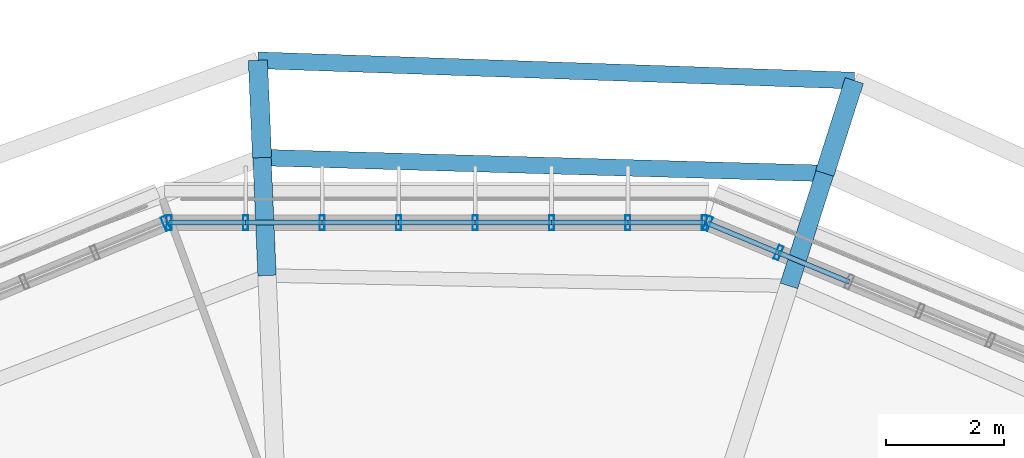
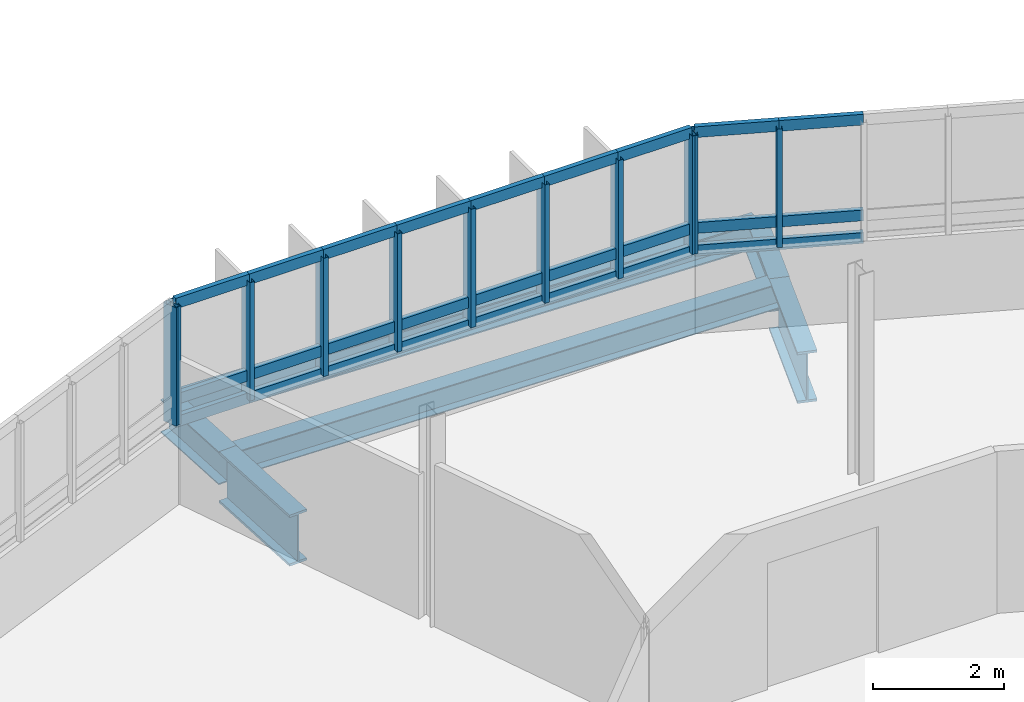
# One storey, part 19 of 38: 38 members, 6 beams, 3 elements without a shape of their own.
"""IFC4 building model written with IfcOpenShell, lengths in metres."""

from ifc_helpers import new_model, si_unit, derived_unit, direction, frame, origin, origin_2d, place, context, subcontext, project, spatial, hollow_rectangle, i_section, extrude, material, layer, layer_set, material_profile, profile_set, type_object, element, aggregate, save


model = new_model("IFC4")

# Units and contexts
model_context = context("Model", 3, precision=1e-05, world=origin(), true_north=direction((0.0, 1.0)))
body_context = subcontext(model_context, "Body", "Model", "MODEL_VIEW")
ifc_project = project(units=[si_unit("LENGTHUNIT", "METRE"), si_unit("AREAUNIT", "SQUARE_METRE"), si_unit("VOLUMEUNIT", "CUBIC_METRE"), si_unit("PLANEANGLEUNIT", "RADIAN"), si_unit("MASSUNIT", "GRAM", prefix="KILO"), derived_unit("THERMALTRANSMITTANCEUNIT", [(si_unit("MASSUNIT", "GRAM", prefix="KILO"), 1), (si_unit("TIMEUNIT", "SECOND"), -3), (si_unit("THERMODYNAMICTEMPERATUREUNIT", "KELVIN"), -1)])], contexts=[model_context])

# Site, building, storey
site_placement = place(None, origin())
site = spatial("IfcSite", under=ifc_project, at=site_placement, CompositionType="ELEMENT")
building_placement = place(site_placement, origin())
building = spatial("IfcBuilding", under=site, at=building_placement, Name="Makaiwela Harbour Ferry Terminal", CompositionType="ELEMENT")
storey_placement = place(building_placement, frame((0.0, 0.0, 17.699951171875)))
storey = spatial("IfcBuildingStorey", under=building, at=storey_placement, Name="L04", CompositionType="ELEMENT", Elevation=17.699951171875)

# Curtain wall, members
ifc_material_1 = material(Name="Marine anodised aluminium 6063-T6", Category="aluminium")
ifc_layer = layer(ifc_material_1, 0.199951171875)
ifc_layer_set = layer_set([ifc_layer], Name="Marine anodised aluminium 6063-T6")
curtain_wall_type = type_object("IfcCurtainWallType", Name="ENV-CW-06", PredefinedType="USERDEFINED", material=ifc_layer_set)
curtain_wall_1_placement = place(storey_placement, origin())
curtain_wall_1 = element("IfcCurtainWall", 1, at=curtain_wall_1_placement, inside=storey, type_object=curtain_wall_type, Name="Unitised Curtain Wall CWA-045", ObjectType="UNITIZED CURTAIN WALL", PredefinedType="USERDEFINED")
ifc_material_profile_1 = material_profile(ifc_material_1, hollow_rectangle(XDim=0.0849609375, YDim=0.25, WallThickness=0.0048828125, at=origin_2d()), Name="CWM-250X85")
ifc_profile_set_1 = profile_set([ifc_material_profile_1], Name="Marine anodised aluminium 6063-T6")
member_type_1 = type_object("IfcMemberType", Name="CW-MUL-250", PredefinedType="MULLION", material=ifc_profile_set_1)
member_1_placement = place(storey_placement, frame((41.83984375, 91.212890625, 1.47998046875), z_axis=(0.0, 0.0, 1.0), x_axis=(-0.923879532511, 0.382683432365, 0.0)))
member_1 = element("IfcMember", 2, at=member_1_placement, type_object=member_type_1, Name="Curtain Wall Mullion CWA-045-7", PredefinedType="MULLION", context=body_context, shape_type="SweptSolid", body=[
    extrude(hollow_rectangle(XDim=0.0849609375, YDim=0.25, WallThickness=0.0048828125, at=origin_2d()), origin(), (0.0, 0.0, 1.0), 2.199951171875),
])
member_2_placement = place(storey_placement, frame((40.642822265625, 91.708984375, 1.47998046875), z_axis=(0.0, 0.0, 1.0), x_axis=(-0.923879532511, 0.382683432365, 0.0)))
member_2 = element("IfcMember", 3, at=member_2_placement, type_object=member_type_1, Name="Curtain Wall Mullion CWA-045-8", PredefinedType="MULLION", context=body_context, shape_type="SweptSolid", body=[
    extrude(hollow_rectangle(XDim=0.0849609375, YDim=0.25, WallThickness=0.0048828125, at=origin_2d()), origin(), (0.0, 0.0, 1.0), 2.199951171875),
])

curtain_wall_2_placement = place(storey_placement, origin())
curtain_wall_2 = element("IfcCurtainWall", 4, at=curtain_wall_2_placement, inside=storey, type_object=curtain_wall_type, Name="Unitised Curtain Wall CWA-046", ObjectType="UNITIZED CURTAIN WALL", PredefinedType="USERDEFINED")
member_3_placement = place(storey_placement, frame((40.585205078125, 91.720458984375, 1.47998046875), z_axis=(0.0, 0.0, 1.0), x_axis=(1.0, 0.0, 0.0)))
member_3 = element("IfcMember", 5, at=member_3_placement, type_object=member_type_1, Name="Curtain Wall Mullion CWA-046-1", PredefinedType="MULLION", context=body_context, shape_type="SweptSolid", body=[
    extrude(hollow_rectangle(XDim=0.0849609375, YDim=0.25, WallThickness=0.0048828125, at=origin_2d()), origin(), (0.0, 0.0, 1.0), 2.199951171875),
])
member_4_placement = place(storey_placement, frame((39.289306640625, 91.720458984375, 1.47998046875), z_axis=(0.0, 0.0, 1.0), x_axis=(1.0, 0.0, 0.0)))
member_4 = element("IfcMember", 6, at=member_4_placement, type_object=member_type_1, Name="Curtain Wall Mullion CWA-046-2", PredefinedType="MULLION", context=body_context, shape_type="SweptSolid", body=[
    extrude(hollow_rectangle(XDim=0.0849609375, YDim=0.25, WallThickness=0.0048828125, at=origin_2d()), origin(), (0.0, 0.0, 1.0), 2.199951171875),
])
member_5_placement = place(storey_placement, frame((37.99365234375, 91.720458984375, 1.47998046875), z_axis=(0.0, 0.0, 1.0), x_axis=(1.0, 0.0, 0.0)))
member_5 = element("IfcMember", 7, at=member_5_placement, type_object=member_type_1, Name="Curtain Wall Mullion CWA-046-3", PredefinedType="MULLION", context=body_context, shape_type="SweptSolid", body=[
    extrude(hollow_rectangle(XDim=0.0849609375, YDim=0.25, WallThickness=0.0048828125, at=origin_2d()), origin(), (0.0, 0.0, 1.0), 2.199951171875),
])
member_6_placement = place(storey_placement, frame((36.697998046875, 91.720458984375, 1.47998046875), z_axis=(0.0, 0.0, 1.0), x_axis=(1.0, 0.0, 0.0)))
member_6 = element("IfcMember", 8, at=member_6_placement, type_object=member_type_1, Name="Curtain Wall Mullion CWA-046-4", PredefinedType="MULLION", context=body_context, shape_type="SweptSolid", body=[
    extrude(hollow_rectangle(XDim=0.0849609375, YDim=0.25, WallThickness=0.0048828125, at=origin_2d()), origin(), (0.0, 0.0, 1.0), 2.199951171875),
])
member_7_placement = place(storey_placement, frame((35.402099609375, 91.720458984375, 1.47998046875), z_axis=(0.0, 0.0, 1.0), x_axis=(1.0, 0.0, 0.0)))
member_7 = element("IfcMember", 9, at=member_7_placement, type_object=member_type_1, Name="Curtain Wall Mullion CWA-046-5", PredefinedType="MULLION", context=body_context, shape_type="SweptSolid", body=[
    extrude(hollow_rectangle(XDim=0.0849609375, YDim=0.25, WallThickness=0.0048828125, at=origin_2d()), origin(), (0.0, 0.0, 1.0), 2.199951171875),
])
member_8_placement = place(storey_placement, frame((34.1064453125, 91.720458984375, 1.47998046875), z_axis=(0.0, 0.0, 1.0), x_axis=(1.0, 0.0, 0.0)))
member_8 = element("IfcMember", 10, at=member_8_placement, type_object=member_type_1, Name="Curtain Wall Mullion CWA-046-6", PredefinedType="MULLION", context=body_context, shape_type="SweptSolid", body=[
    extrude(hollow_rectangle(XDim=0.0849609375, YDim=0.25, WallThickness=0.0048828125, at=origin_2d()), origin(), (0.0, 0.0, 1.0), 2.199951171875),
])
member_9_placement = place(storey_placement, frame((32.810546875, 91.720458984375, 1.47998046875), z_axis=(0.0, 0.0, 1.0), x_axis=(1.0, 0.0, 0.0)))
member_9 = element("IfcMember", 11, at=member_9_placement, type_object=member_type_1, Name="Curtain Wall Mullion CWA-046-7", PredefinedType="MULLION", context=body_context, shape_type="SweptSolid", body=[
    extrude(hollow_rectangle(XDim=0.0849609375, YDim=0.25, WallThickness=0.0048828125, at=origin_2d()), origin(), (0.0, 0.0, 1.0), 2.199951171875),
])
member_10_placement = place(storey_placement, frame((31.514892578125, 91.720458984375, 1.47998046875), z_axis=(0.0, 0.0, 1.0), x_axis=(1.0, 0.0, 0.0)))
member_10 = element("IfcMember", 12, at=member_10_placement, type_object=member_type_1, Name="Curtain Wall Mullion CWA-046-8", PredefinedType="MULLION", context=body_context, shape_type="SweptSolid", body=[
    extrude(hollow_rectangle(XDim=0.0849609375, YDim=0.25, WallThickness=0.0048828125, at=origin_2d()), origin(), (0.0, 0.0, 1.0), 2.199951171875),
])

# Curtain wall, member
curtain_wall_3_placement = place(storey_placement, origin())
curtain_wall_3 = element("IfcCurtainWall", 13, at=curtain_wall_3_placement, inside=storey, type_object=curtain_wall_type, Name="Unitised Curtain Wall CWA-047", ObjectType="UNITIZED CURTAIN WALL", PredefinedType="USERDEFINED")
member_11_placement = place(storey_placement, frame((31.457275390625, 91.708984375, 1.47998046875), z_axis=(0.0, 0.0, 1.0), x_axis=(0.923879532511, 0.382683432365, 0.0)))
member_11 = element("IfcMember", 14, at=member_11_placement, type_object=member_type_1, Name="Curtain Wall Mullion CWA-047-1", PredefinedType="MULLION", context=body_context, shape_type="SweptSolid", body=[
    extrude(hollow_rectangle(XDim=0.0849609375, YDim=0.25, WallThickness=0.0048828125, at=origin_2d()), origin(), (0.0, 0.0, 1.0), 2.199951171875),
])
aggregate(curtain_wall_3, [member_11])

# Member
ifc_material_profile_2 = material_profile(ifc_material_1, hollow_rectangle(XDim=0.0849609375, YDim=0.199951171875, WallThickness=0.0048828125, at=origin_2d()), Name="CWT-200X85")
ifc_profile_set_2 = profile_set([ifc_material_profile_2], Name="Marine anodised aluminium 6063-T6")
member_type_2 = type_object("IfcMemberType", Name="CW-TRN-200", PredefinedType="USERDEFINED", material=ifc_profile_set_2)
member_12_placement = place(storey_placement, frame((43.037109375, 90.71728515625, 1.47998046875), z_axis=(-0.923966326456, 0.382473826, 0.0), x_axis=(-0.382473826, -0.923966326456, 0.0)))
member_12 = element("IfcMember", 15, at=member_12_placement, type_object=member_type_2, Name="Curtain Wall Transom CWA-045-6-1", ObjectType="TRANSOM", PredefinedType="USERDEFINED", context=body_context, shape_type="SweptSolid", body=[
    extrude(hollow_rectangle(XDim=0.0849609375, YDim=0.199951171875, WallThickness=0.0048828125, at=origin_2d()), origin(), (0.0, 0.0, 1.0), 1.2958984375),
])

member_13_placement = place(storey_placement, frame((43.037109375, 90.71728515625, 1.900146484375), z_axis=(-0.923966326456, 0.382473826, 0.0), x_axis=(-0.382473826, -0.923966326456, 0.0)))
member_13 = element("IfcMember", 16, at=member_13_placement, type_object=member_type_2, Name="Curtain Wall Transom CWA-045-6-2", ObjectType="TRANSOM", PredefinedType="USERDEFINED", context=body_context, shape_type="SweptSolid", body=[
    extrude(hollow_rectangle(XDim=0.0849609375, YDim=0.199951171875, WallThickness=0.0048828125, at=origin_2d()), origin(), (0.0, 0.0, 1.0), 1.2958984375),
])

member_14_placement = place(storey_placement, frame((43.037109375, 90.71728515625, 3.679931640625), z_axis=(-0.923966326456, 0.382473826, 0.0), x_axis=(-0.382473826, -0.923966326456, 0.0)))
member_14 = element("IfcMember", 17, at=member_14_placement, type_object=member_type_2, Name="Curtain Wall Transom CWA-045-6-3", ObjectType="TRANSOM", PredefinedType="USERDEFINED", context=body_context, shape_type="SweptSolid", body=[
    extrude(hollow_rectangle(XDim=0.0849609375, YDim=0.199951171875, WallThickness=0.0048828125, at=origin_2d()), origin(), (0.0, 0.0, 1.0), 1.2958984375),
])

member_15_placement = place(storey_placement, frame((41.83984375, 91.212890625, 1.47998046875), z_axis=(-0.92380551211, 0.382862084562, 0.0), x_axis=(-0.382862084562, -0.92380551211, 0.0)))
member_15 = element("IfcMember", 18, at=member_15_placement, type_object=member_type_2, Name="Curtain Wall Transom CWA-045-7-1", ObjectType="TRANSOM", PredefinedType="USERDEFINED", context=body_context, shape_type="SweptSolid", body=[
    extrude(hollow_rectangle(XDim=0.0849609375, YDim=0.199951171875, WallThickness=0.0048828125, at=origin_2d()), origin(), (0.0, 0.0, 1.0), 1.295654296875),
])

member_16_placement = place(storey_placement, frame((41.83984375, 91.212890625, 1.900146484375), z_axis=(-0.92380551211, 0.382862084562, 0.0), x_axis=(-0.382862084562, -0.92380551211, 0.0)))
member_16 = element("IfcMember", 19, at=member_16_placement, type_object=member_type_2, Name="Curtain Wall Transom CWA-045-7-2", ObjectType="TRANSOM", PredefinedType="USERDEFINED", context=body_context, shape_type="SweptSolid", body=[
    extrude(hollow_rectangle(XDim=0.0849609375, YDim=0.199951171875, WallThickness=0.0048828125, at=origin_2d()), origin(), (0.0, 0.0, 1.0), 1.295654296875),
])

member_17_placement = place(storey_placement, frame((41.83984375, 91.212890625, 3.679931640625), z_axis=(-0.92380551211, 0.382862084562, 0.0), x_axis=(-0.382862084562, -0.92380551211, 0.0)))
member_17 = element("IfcMember", 20, at=member_17_placement, type_object=member_type_2, Name="Curtain Wall Transom CWA-045-7-3", ObjectType="TRANSOM", PredefinedType="USERDEFINED", context=body_context, shape_type="SweptSolid", body=[
    extrude(hollow_rectangle(XDim=0.0849609375, YDim=0.199951171875, WallThickness=0.0048828125, at=origin_2d()), origin(), (0.0, 0.0, 1.0), 1.295654296875),
])

aggregate(curtain_wall_1, [member_1, member_2, member_12, member_13, member_14, member_15, member_16, member_17])

member_18_placement = place(storey_placement, frame((40.585205078125, 91.720458984375, 1.47998046875), z_axis=(-1.0, 0.0, 0.0), x_axis=(0.0, -1.0, 0.0)))
member_18 = element("IfcMember", 21, at=member_18_placement, type_object=member_type_2, Name="Curtain Wall Transom CWA-046-1-1", ObjectType="TRANSOM", PredefinedType="USERDEFINED", context=body_context, shape_type="SweptSolid", body=[
    extrude(hollow_rectangle(XDim=0.0849609375, YDim=0.199951171875, WallThickness=0.0048828125, at=origin_2d()), origin(), (0.0, 0.0, 1.0), 1.2958984375),
])

member_19_placement = place(storey_placement, frame((40.585205078125, 91.720458984375, 1.900146484375), z_axis=(-1.0, 0.0, 0.0), x_axis=(0.0, -1.0, 0.0)))
member_19 = element("IfcMember", 22, at=member_19_placement, type_object=member_type_2, Name="Curtain Wall Transom CWA-046-1-2", ObjectType="TRANSOM", PredefinedType="USERDEFINED", context=body_context, shape_type="SweptSolid", body=[
    extrude(hollow_rectangle(XDim=0.0849609375, YDim=0.199951171875, WallThickness=0.0048828125, at=origin_2d()), origin(), (0.0, 0.0, 1.0), 1.2958984375),
])

member_20_placement = place(storey_placement, frame((40.585205078125, 91.720458984375, 3.679931640625), z_axis=(-1.0, 0.0, 0.0), x_axis=(0.0, -1.0, 0.0)))
member_20 = element("IfcMember", 23, at=member_20_placement, type_object=member_type_2, Name="Curtain Wall Transom CWA-046-1-3", ObjectType="TRANSOM", PredefinedType="USERDEFINED", context=body_context, shape_type="SweptSolid", body=[
    extrude(hollow_rectangle(XDim=0.0849609375, YDim=0.199951171875, WallThickness=0.0048828125, at=origin_2d()), origin(), (0.0, 0.0, 1.0), 1.2958984375),
])

member_21_placement = place(storey_placement, frame((39.289306640625, 91.720458984375, 1.47998046875), z_axis=(-1.0, 0.0, 0.0), x_axis=(0.0, -1.0, 0.0)))
member_21 = element("IfcMember", 24, at=member_21_placement, type_object=member_type_2, Name="Curtain Wall Transom CWA-046-2-1", ObjectType="TRANSOM", PredefinedType="USERDEFINED", context=body_context, shape_type="SweptSolid", body=[
    extrude(hollow_rectangle(XDim=0.0849609375, YDim=0.199951171875, WallThickness=0.0048828125, at=origin_2d()), origin(), (0.0, 0.0, 1.0), 1.295654296875),
])

member_22_placement = place(storey_placement, frame((39.289306640625, 91.720458984375, 1.900146484375), z_axis=(-1.0, 0.0, 0.0), x_axis=(0.0, -1.0, 0.0)))
member_22 = element("IfcMember", 25, at=member_22_placement, type_object=member_type_2, Name="Curtain Wall Transom CWA-046-2-2", ObjectType="TRANSOM", PredefinedType="USERDEFINED", context=body_context, shape_type="SweptSolid", body=[
    extrude(hollow_rectangle(XDim=0.0849609375, YDim=0.199951171875, WallThickness=0.0048828125, at=origin_2d()), origin(), (0.0, 0.0, 1.0), 1.295654296875),
])

member_23_placement = place(storey_placement, frame((39.289306640625, 91.720458984375, 3.679931640625), z_axis=(-1.0, 0.0, 0.0), x_axis=(0.0, -1.0, 0.0)))
member_23 = element("IfcMember", 26, at=member_23_placement, type_object=member_type_2, Name="Curtain Wall Transom CWA-046-2-3", ObjectType="TRANSOM", PredefinedType="USERDEFINED", context=body_context, shape_type="SweptSolid", body=[
    extrude(hollow_rectangle(XDim=0.0849609375, YDim=0.199951171875, WallThickness=0.0048828125, at=origin_2d()), origin(), (0.0, 0.0, 1.0), 1.295654296875),
])

member_24_placement = place(storey_placement, frame((37.99365234375, 91.720458984375, 1.47998046875), z_axis=(-1.0, 0.0, 0.0), x_axis=(0.0, -1.0, 0.0)))
member_24 = element("IfcMember", 27, at=member_24_placement, type_object=member_type_2, Name="Curtain Wall Transom CWA-046-3-1", ObjectType="TRANSOM", PredefinedType="USERDEFINED", context=body_context, shape_type="SweptSolid", body=[
    extrude(hollow_rectangle(XDim=0.0849609375, YDim=0.199951171875, WallThickness=0.0048828125, at=origin_2d()), origin(), (0.0, 0.0, 1.0), 1.295654296875),
])

member_25_placement = place(storey_placement, frame((37.99365234375, 91.720458984375, 1.900146484375), z_axis=(-1.0, 0.0, 0.0), x_axis=(0.0, -1.0, 0.0)))
member_25 = element("IfcMember", 28, at=member_25_placement, type_object=member_type_2, Name="Curtain Wall Transom CWA-046-3-2", ObjectType="TRANSOM", PredefinedType="USERDEFINED", context=body_context, shape_type="SweptSolid", body=[
    extrude(hollow_rectangle(XDim=0.0849609375, YDim=0.199951171875, WallThickness=0.0048828125, at=origin_2d()), origin(), (0.0, 0.0, 1.0), 1.295654296875),
])

member_26_placement = place(storey_placement, frame((37.99365234375, 91.720458984375, 3.679931640625), z_axis=(-1.0, 0.0, 0.0), x_axis=(0.0, -1.0, 0.0)))
member_26 = element("IfcMember", 29, at=member_26_placement, type_object=member_type_2, Name="Curtain Wall Transom CWA-046-3-3", ObjectType="TRANSOM", PredefinedType="USERDEFINED", context=body_context, shape_type="SweptSolid", body=[
    extrude(hollow_rectangle(XDim=0.0849609375, YDim=0.199951171875, WallThickness=0.0048828125, at=origin_2d()), origin(), (0.0, 0.0, 1.0), 1.295654296875),
])

member_27_placement = place(storey_placement, frame((36.697998046875, 91.720458984375, 1.47998046875), z_axis=(-1.0, 0.0, 0.0), x_axis=(0.0, -1.0, 0.0)))
member_27 = element("IfcMember", 30, at=member_27_placement, type_object=member_type_2, Name="Curtain Wall Transom CWA-046-4-1", ObjectType="TRANSOM", PredefinedType="USERDEFINED", context=body_context, shape_type="SweptSolid", body=[
    extrude(hollow_rectangle(XDim=0.0849609375, YDim=0.199951171875, WallThickness=0.0048828125, at=origin_2d()), origin(), (0.0, 0.0, 1.0), 1.2958984375),
])

member_28_placement = place(storey_placement, frame((36.697998046875, 91.720458984375, 1.900146484375), z_axis=(-1.0, 0.0, 0.0), x_axis=(0.0, -1.0, 0.0)))
member_28 = element("IfcMember", 31, at=member_28_placement, type_object=member_type_2, Name="Curtain Wall Transom CWA-046-4-2", ObjectType="TRANSOM", PredefinedType="USERDEFINED", context=body_context, shape_type="SweptSolid", body=[
    extrude(hollow_rectangle(XDim=0.0849609375, YDim=0.199951171875, WallThickness=0.0048828125, at=origin_2d()), origin(), (0.0, 0.0, 1.0), 1.2958984375),
])

member_29_placement = place(storey_placement, frame((36.697998046875, 91.720458984375, 3.679931640625), z_axis=(-1.0, 0.0, 0.0), x_axis=(0.0, -1.0, 0.0)))
member_29 = element("IfcMember", 32, at=member_29_placement, type_object=member_type_2, Name="Curtain Wall Transom CWA-046-4-3", ObjectType="TRANSOM", PredefinedType="USERDEFINED", context=body_context, shape_type="SweptSolid", body=[
    extrude(hollow_rectangle(XDim=0.0849609375, YDim=0.199951171875, WallThickness=0.0048828125, at=origin_2d()), origin(), (0.0, 0.0, 1.0), 1.2958984375),
])

member_30_placement = place(storey_placement, frame((35.402099609375, 91.720458984375, 1.47998046875), z_axis=(-1.0, 0.0, 0.0), x_axis=(0.0, -1.0, 0.0)))
member_30 = element("IfcMember", 33, at=member_30_placement, type_object=member_type_2, Name="Curtain Wall Transom CWA-046-5-1", ObjectType="TRANSOM", PredefinedType="USERDEFINED", context=body_context, shape_type="SweptSolid", body=[
    extrude(hollow_rectangle(XDim=0.0849609375, YDim=0.199951171875, WallThickness=0.0048828125, at=origin_2d()), origin(), (0.0, 0.0, 1.0), 1.295654296875),
])

member_31_placement = place(storey_placement, frame((35.402099609375, 91.720458984375, 1.900146484375), z_axis=(-1.0, 0.0, 0.0), x_axis=(0.0, -1.0, 0.0)))
member_31 = element("IfcMember", 34, at=member_31_placement, type_object=member_type_2, Name="Curtain Wall Transom CWA-046-5-2", ObjectType="TRANSOM", PredefinedType="USERDEFINED", context=body_context, shape_type="SweptSolid", body=[
    extrude(hollow_rectangle(XDim=0.0849609375, YDim=0.199951171875, WallThickness=0.0048828125, at=origin_2d()), origin(), (0.0, 0.0, 1.0), 1.295654296875),
])

member_32_placement = place(storey_placement, frame((35.402099609375, 91.720458984375, 3.679931640625), z_axis=(-1.0, 0.0, 0.0), x_axis=(0.0, -1.0, 0.0)))
member_32 = element("IfcMember", 35, at=member_32_placement, type_object=member_type_2, Name="Curtain Wall Transom CWA-046-5-3", ObjectType="TRANSOM", PredefinedType="USERDEFINED", context=body_context, shape_type="SweptSolid", body=[
    extrude(hollow_rectangle(XDim=0.0849609375, YDim=0.199951171875, WallThickness=0.0048828125, at=origin_2d()), origin(), (0.0, 0.0, 1.0), 1.295654296875),
])

member_33_placement = place(storey_placement, frame((34.1064453125, 91.720458984375, 1.47998046875), z_axis=(-1.0, 0.0, 0.0), x_axis=(0.0, -1.0, 0.0)))
member_33 = element("IfcMember", 36, at=member_33_placement, type_object=member_type_2, Name="Curtain Wall Transom CWA-046-6-1", ObjectType="TRANSOM", PredefinedType="USERDEFINED", context=body_context, shape_type="SweptSolid", body=[
    extrude(hollow_rectangle(XDim=0.0849609375, YDim=0.199951171875, WallThickness=0.0048828125, at=origin_2d()), origin(), (0.0, 0.0, 1.0), 1.2958984375),
])

member_34_placement = place(storey_placement, frame((34.1064453125, 91.720458984375, 1.900146484375), z_axis=(-1.0, 0.0, 0.0), x_axis=(0.0, -1.0, 0.0)))
member_34 = element("IfcMember", 37, at=member_34_placement, type_object=member_type_2, Name="Curtain Wall Transom CWA-046-6-2", ObjectType="TRANSOM", PredefinedType="USERDEFINED", context=body_context, shape_type="SweptSolid", body=[
    extrude(hollow_rectangle(XDim=0.0849609375, YDim=0.199951171875, WallThickness=0.0048828125, at=origin_2d()), origin(), (0.0, 0.0, 1.0), 1.2958984375),
])

member_35_placement = place(storey_placement, frame((34.1064453125, 91.720458984375, 3.679931640625), z_axis=(-1.0, 0.0, 0.0), x_axis=(0.0, -1.0, 0.0)))
member_35 = element("IfcMember", 38, at=member_35_placement, type_object=member_type_2, Name="Curtain Wall Transom CWA-046-6-3", ObjectType="TRANSOM", PredefinedType="USERDEFINED", context=body_context, shape_type="SweptSolid", body=[
    extrude(hollow_rectangle(XDim=0.0849609375, YDim=0.199951171875, WallThickness=0.0048828125, at=origin_2d()), origin(), (0.0, 0.0, 1.0), 1.2958984375),
])

member_36_placement = place(storey_placement, frame((32.810546875, 91.720458984375, 1.47998046875), z_axis=(-1.0, 0.0, 0.0), x_axis=(0.0, -1.0, 0.0)))
member_36 = element("IfcMember", 39, at=member_36_placement, type_object=member_type_2, Name="Curtain Wall Transom CWA-046-7-1", ObjectType="TRANSOM", PredefinedType="USERDEFINED", context=body_context, shape_type="SweptSolid", body=[
    extrude(hollow_rectangle(XDim=0.0849609375, YDim=0.199951171875, WallThickness=0.0048828125, at=origin_2d()), origin(), (0.0, 0.0, 1.0), 1.295654296875),
])

member_37_placement = place(storey_placement, frame((32.810546875, 91.720458984375, 1.900146484375), z_axis=(-1.0, 0.0, 0.0), x_axis=(0.0, -1.0, 0.0)))
member_37 = element("IfcMember", 40, at=member_37_placement, type_object=member_type_2, Name="Curtain Wall Transom CWA-046-7-2", ObjectType="TRANSOM", PredefinedType="USERDEFINED", context=body_context, shape_type="SweptSolid", body=[
    extrude(hollow_rectangle(XDim=0.0849609375, YDim=0.199951171875, WallThickness=0.0048828125, at=origin_2d()), origin(), (0.0, 0.0, 1.0), 1.295654296875),
])

member_38_placement = place(storey_placement, frame((32.810546875, 91.720458984375, 3.679931640625), z_axis=(-1.0, 0.0, 0.0), x_axis=(0.0, -1.0, 0.0)))
member_38 = element("IfcMember", 41, at=member_38_placement, type_object=member_type_2, Name="Curtain Wall Transom CWA-046-7-3", ObjectType="TRANSOM", PredefinedType="USERDEFINED", context=body_context, shape_type="SweptSolid", body=[
    extrude(hollow_rectangle(XDim=0.0849609375, YDim=0.199951171875, WallThickness=0.0048828125, at=origin_2d()), origin(), (0.0, 0.0, 1.0), 1.295654296875),
])

aggregate(curtain_wall_2, [member_3, member_4, member_5, member_6, member_7, member_8, member_9, member_10, member_18, member_19, member_20, member_21, member_22, member_23, member_24, member_25, member_26, member_27, member_28, member_29, member_30, member_31, member_32, member_33, member_34, member_35, member_36, member_37, member_38])

# Beams
ifc_material_2 = material(Name="Steel ASTM A992 Grade 50", Category="steel")
ifc_material_profile_3 = material_profile(ifc_material_2, i_section(OverallWidth=0.280029296875, OverallDepth=0.462890625, WebThickness=0.0107421875, FlangeThickness=0.017333984375, at=origin_2d()), Name="W18X76")
ifc_profile_set_3 = profile_set([ifc_material_profile_3], Name="Steel ASTM A992 Grade 50")
beam_type_1 = type_object("IfcBeamType", Name="STR-BM-W18X76", PredefinedType="BEAM", material=ifc_profile_set_3)
beam_1_placement = place(storey_placement, frame((42.623291015625, 92.556396484375, -0.486572265625), z_axis=(-0.999606406345, 0.028054097648, 0.0), x_axis=(-0.028054097648, -0.999606406345, 0.0)))
element("IfcBeam", 42, at=beam_1_placement, inside=storey, type_object=beam_type_1, Name="Drum stage2 tie girder 460", PredefinedType="BEAM", context=body_context, shape_type="SweptSolid", body=[
    extrude(i_section(OverallWidth=0.280029296875, OverallDepth=0.462890625, WebThickness=0.0107421875, FlangeThickness=0.017333984375, at=origin_2d()), origin(), (0.0, 0.0, 1.0), 9.537841796875),
])
ifc_material_profile_4 = material_profile(ifc_material_2, i_section(OverallWidth=0.324951171875, OverallDepth=0.615966796875, WebThickness=0.013916015625, FlangeThickness=0.021484375, at=origin_2d()), Name="W24X117")
ifc_profile_set_4 = profile_set([ifc_material_profile_4], Name="Steel ASTM A992 Grade 50")
beam_type_2 = type_object("IfcBeamType", Name="STR-GRD-W24X117", PredefinedType="USERDEFINED", material=ifc_profile_set_4)
for number, where, z_axis, x_axis, name in (
    (43, (42.623291015625, 92.556396484375, -0.56298828125), (0.303191442056, 0.952929666588, 0.0), (-0.952929666588, 0.303191442056, 0.0), "Promenade terrace bracket 411"),
    (44, (33.089111328125, 92.823974609375, -0.56298828125), (-0.04246757726, 0.999097845499, 0.0), (-0.999097845499, -0.04246757726, 0.0), "Promenade terrace bracket 415"),
):
    element("IfcBeam", number, at=place(storey_placement, frame(where, z_axis=z_axis, x_axis=x_axis)), inside=storey, type_object=beam_type_2, Name=name, ObjectType="GIRDER", PredefinedType="USERDEFINED", context=body_context, shape_type="SweptSolid", body=[
        extrude(i_section(OverallWidth=0.324951171875, OverallDepth=0.615966796875, WebThickness=0.013916015625, FlangeThickness=0.021484375, at=origin_2d()), origin(), (0.0, 0.0, 1.0), 1.64990234375),
    ])
ifc_material_profile_5 = material_profile(ifc_material_2, i_section(OverallWidth=0.31005859375, OverallDepth=0.949951171875, WebThickness=0.0244140625, FlangeThickness=0.0439453125, at=origin_2d()), Name="W36X256")
ifc_profile_set_5 = profile_set([ifc_material_profile_5], Name="Steel ASTM A992 Grade 50")
beam_type_3 = type_object("IfcBeamType", Name="STR-GRD-W36X256", PredefinedType="USERDEFINED", material=ifc_profile_set_5)
for number, where, z_axis, x_axis, name in (
    (45, (42.01708984375, 90.650390625, -0.72998046875), (0.303087773296, 0.95296264443, 0.0), (-0.95296264443, 0.303087773296, 0.0), "Drum overhang radial girder 410"),
    (46, (33.173583984375, 90.82568359375, -0.72998046875), (-0.042234730559, 0.999107715682, 0.0), (-0.999107715682, -0.042234730559, 0.0), "Drum overhang radial girder 414"),
):
    element("IfcBeam", number, at=place(storey_placement, frame(where, z_axis=z_axis, x_axis=x_axis)), inside=storey, type_object=beam_type_3, Name=name, ObjectType="GIRDER", PredefinedType="USERDEFINED", context=body_context, shape_type="SweptSolid", body=[
        extrude(i_section(OverallWidth=0.31005859375, OverallDepth=0.949951171875, WebThickness=0.0244140625, FlangeThickness=0.0439453125, at=origin_2d()), origin(), (0.0, 0.0, 1.0), 2.0),
    ])
ifc_material_profile_6 = material_profile(ifc_material_2, i_section(OverallWidth=0.283935546875, OverallDepth=0.47607421875, WebThickness=0.014892578125, FlangeThickness=0.02392578125, at=origin_2d()), Name="W18X106")
ifc_profile_set_6 = profile_set([ifc_material_profile_6], Name="Steel ASTM A992 Grade 50")
beam_type_4 = type_object("IfcBeamType", Name="STR-SPN-W18X106", PredefinedType="SPANDREL", material=ifc_profile_set_6)
beam_2_placement = place(storey_placement, frame((43.12353515625, 94.128662109375, -0.492919921875), z_axis=(-0.999421837836, 0.033999853766, 0.0), x_axis=(-0.033999853766, -0.999421837836, 0.0)))
element("IfcBeam", 47, at=beam_2_placement, inside=storey, type_object=beam_type_4, Name="Drum perimeter spandrel 483", PredefinedType="SPANDREL", context=body_context, shape_type="SweptSolid", body=[
    extrude(i_section(OverallWidth=0.283935546875, OverallDepth=0.47607421875, WebThickness=0.014892578125, FlangeThickness=0.02392578125, at=origin_2d()), origin(), (0.0, 0.0, 1.0), 10.1103515625),
])

save(model, "model.ifc")
